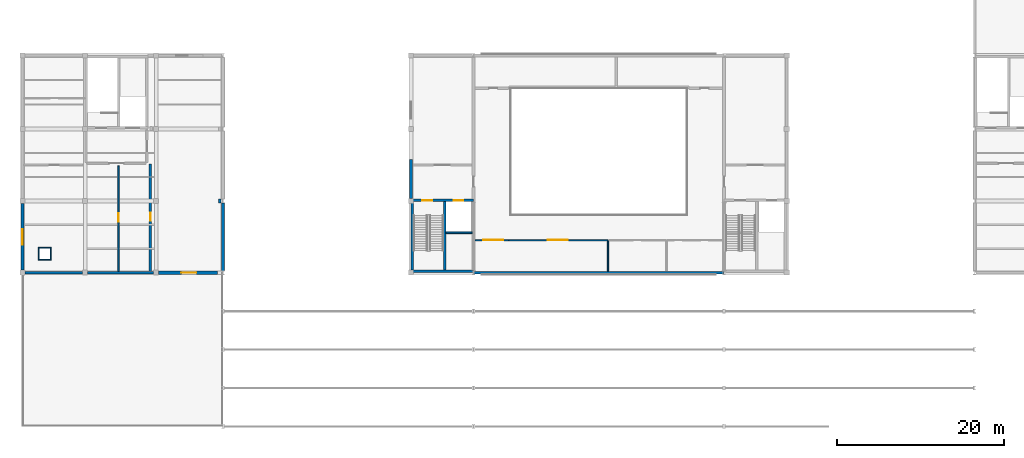
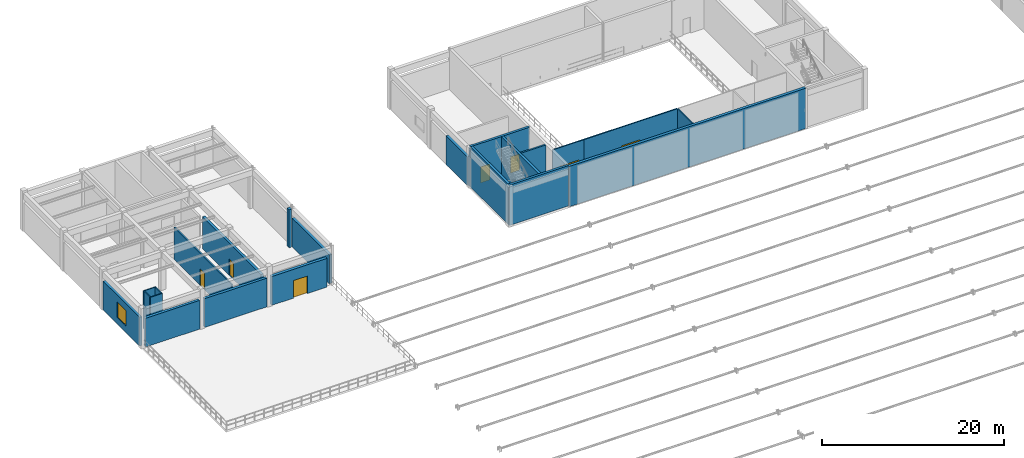
# One storey, part 31 of 38: 22 walls, 7 doors, 1 window, 8 openings.
"""IFC4 building model written with IfcOpenShell, lengths in metres."""

from ifc_helpers import new_model, si_unit, direction, frame, frame_2d, origin, place, context, subcontext, project, spatial, rectangle, extrude, material, layer, layer_set, type_object, element, fill, save


model = new_model("IFC4")

# Units and contexts
model_context = context("Model", 3, precision=1e-05, world=origin(), true_north=direction((0.0, 1.0)))
body_context = subcontext(model_context, "Body", "Model", "MODEL_VIEW")
ifc_project = project(units=[si_unit("LENGTHUNIT", "METRE"), si_unit("AREAUNIT", "SQUARE_METRE"), si_unit("VOLUMEUNIT", "CUBIC_METRE"), si_unit("PLANEANGLEUNIT", "RADIAN"), si_unit("MASSUNIT", "GRAM", prefix="KILO")], contexts=[model_context])

# Site, building, storey
site_placement = place(None, origin())
site = spatial("IfcSite", under=ifc_project, at=site_placement, CompositionType="ELEMENT")
building_placement = place(site_placement, origin())
building = spatial("IfcBuilding", under=site, at=building_placement, Name="Muzn Square Opera House", CompositionType="ELEMENT")
storey_placement = place(building_placement, frame((0.0, 0.0, 18.0)))
storey = spatial("IfcBuildingStorey", under=building, at=storey_placement, Name="L04", CompositionType="ELEMENT", Elevation=18.0)

# Wall, opening, door
ifc_material_1 = material(Name="Acoustic gypsum stud partition", Category="gypsum")
ifc_layer_1 = layer(ifc_material_1, 0.320068359375, Name="Acoustic gypsum stud partition", Category="gypsum")
ifc_layer_set_1 = layer_set([ifc_layer_1], Name="Acoustic gypsum stud partition")
wall_type_1 = type_object("IfcWallType", Name="Acoustic Studio Double Wall 320mm", PredefinedType="PARTITIONING", material=ifc_layer_set_1)
wall_1_placement = place(storey_placement, frame((34.300048828125, 72.77490234375, 0.0), z_axis=(0.0, 0.0, 1.0), x_axis=(0.0, 1.0, 0.0)))
wall_1 = element("IfcWall", 1, at=wall_1_placement, inside=storey, type_object=wall_type_1, Name="Interior Partition PW-L04-0400", PredefinedType="PARTITIONING", context=body_context, shape_type="SweptSolid", body=[
    extrude(rectangle(XDim=12.8251953125, YDim=0.320068359375, at=frame_2d((6.41259765625, 0.0))), origin(), (0.0, 0.0, 1.0), 4.300048828125),
])
opening_1_placement = place(wall_1_placement, frame((6.02490234375, 0.0, 0.0)))
opening_1 = element("IfcOpeningElement", 2, at=opening_1_placement, cuts=wall_1, Name="Opening DR-SS10", PredefinedType="OPENING", context=body_context, shape_type="SweptSolid", body=[
    extrude(rectangle(XDim=1.0, YDim=2.199951171875, at=frame_2d((0.5, 1.10009765625))), frame((0.0, 0.169921875, 0.0), z_axis=(0.0, -1.0, 0.0), x_axis=(1.0, 0.0, 0.0)), (0.0, 0.0, 1.0), 0.340087890625),
])
ifc_material_2 = material(Name="Acoustic hardwood leaf", Category="wood")
door_type_1 = type_object("IfcDoorType", Name="Soloist Suite Door 1000x2200", OperationType="NOTDEFINED", PredefinedType="DOOR", material=ifc_material_2)
door_1_placement = place(opening_1_placement, origin())
door_1 = element("IfcDoor", 3, at=door_1_placement, inside=storey, type_object=door_type_1, Name="Conductor Partitura Preparation Studio Door DR-L04-0121", OperationType="SINGLE_SWING_RIGHT", OverallHeight=2.199951171875, OverallWidth=1.0, PredefinedType="DOOR", context=body_context, shape_type="SweptSolid", body=[
    extrude(rectangle(XDim=1.0, YDim=2.199951171875, at=frame_2d((0.5, 1.10009765625))), frame((0.0, 0.02490234375, 0.0), z_axis=(0.0, -1.0, 0.0), x_axis=(1.0, 0.0, 0.0)), (0.0, 0.0, 1.0), 0.050048828125),
])
fill(opening_1, door_1)

# Walls
wall_2_placement = place(storey_placement, frame((42.60009765625, 80.97509765625, 0.0), z_axis=(0.0, 0.0, 1.0), x_axis=(0.0, 1.0, 0.0)))
element("IfcWall", 4, at=wall_2_placement, inside=storey, type_object=wall_type_1, Name="Room Enclosure Partition PW-L04-0410", PredefinedType="PARTITIONING", context=body_context, shape_type="SweptSolid", body=[
    extrude(rectangle(XDim=0.449951171875, YDim=0.320068359375, at=frame_2d((0.22509765625, 0.0))), origin(), (0.0, 0.0, 1.0), 5.10009765625),
])
ifc_material_3 = material(Name="Concrete C45/55", Category="concrete")
ifc_layer_2 = layer(ifc_material_3, 0.300048828125, Name="Concrete C45/55", Category="concrete")
ifc_layer_set_2 = layer_set([ifc_layer_2], Name="Concrete C45/55")
wall_type_2 = type_object("IfcWallType", Name="Core Shear Wall 300mm", PredefinedType="SHEAR", material=ifc_layer_set_2)
for number, where, z_axis, x_axis, name in (
    (5, (65.64990234375, 72.89990234375, 0.0), (0.0, 0.0, 1.0), (0.0, 1.0, 0.0), "Core C1 Shear Wall SW-C1-L04-W"),
    (6, (69.550048828125, 72.89990234375, 0.0), (0.0, 0.0, 1.0), (0.0, 1.0, 0.0), "Core C1 Shear Wall SW-C1-L04-DIV"),
):
    element("IfcWall", number, at=place(storey_placement, frame(where, z_axis=z_axis, x_axis=x_axis)), inside=storey, type_object=wall_type_2, Name=name, PredefinedType="SHEAR", context=body_context, shape_type="SweptSolid", body=[
        extrude(rectangle(XDim=8.2001953125, YDim=0.300048828125, at=frame_2d((4.10009765625, 0.0))), origin(), (0.0, 0.0, 1.0), 5.39990234375),
    ])

# Wall, openings, doors
wall_3_placement = place(storey_placement, frame((65.5, 81.25, 0.0), z_axis=(0.0, 0.0, 1.0), x_axis=(1.0, 0.0, 0.0)))
wall_3 = element("IfcWall", 7, at=wall_3_placement, inside=storey, type_object=wall_type_2, Name="Core C1 Front Shear Wall L04", PredefinedType="SHEAR", context=body_context, shape_type="SweptSolid", body=[
    extrude(rectangle(XDim=7.5, YDim=0.300048828125, at=frame_2d((3.75, 0.0))), origin(), (0.0, 0.0, 1.0), 5.39990234375),
])
opening_2_placement = place(wall_3_placement, frame((1.35009765625, 0.0, 0.0)))
opening_2 = element("IfcOpeningElement", 8, at=opening_2_placement, cuts=wall_3, Name="Opening DR-ST12", PredefinedType="OPENING", context=body_context, shape_type="SweptSolid", body=[
    extrude(rectangle(XDim=1.199951171875, YDim=2.14990234375, at=frame_2d((0.60009765625, 1.074951171875))), frame((0.0, 0.159912109375, 0.0), z_axis=(0.0, -1.0, 0.0), x_axis=(1.0, 0.0, 0.0)), (0.0, 0.0, 1.0), 0.320068359375),
])
opening_3_placement = place(wall_3_placement, frame((5.14990234375, 0.0, 0.0)))
opening_3 = element("IfcOpeningElement", 9, at=opening_3_placement, cuts=wall_3, Name="Opening LD-01", PredefinedType="OPENING", context=body_context, shape_type="SweptSolid", body=[
    extrude(rectangle(XDim=1.10009765625, YDim=2.14990234375, at=frame_2d((0.550048828125, 1.074951171875))), frame((0.0, 0.159912109375, 0.0), z_axis=(0.0, -1.0, 0.0), x_axis=(1.0, 0.0, 0.0)), (0.0, 0.0, 1.0), 0.320068359375),
])
ifc_material_4 = material(Name="Galvanised painted steel leaf", Category="metal")
door_type_2 = type_object("IfcDoorType", Name="Core Stair Fire Door 1200x2150", OperationType="NOTDEFINED", PredefinedType="DOOR", material=ifc_material_4)
door_2_placement = place(opening_2_placement, origin())
door_2 = element("IfcDoor", 10, at=door_2_placement, inside=storey, type_object=door_type_2, Name="Core C1 Stair Door L04", OperationType="SINGLE_SWING_RIGHT", OverallHeight=2.14990234375, OverallWidth=1.199951171875, PredefinedType="DOOR", context=body_context, shape_type="SweptSolid", body=[
    extrude(rectangle(XDim=1.199951171875, YDim=2.14990234375, at=frame_2d((0.60009765625, 1.074951171875))), frame((0.0, 0.02490234375, 0.0), z_axis=(0.0, -1.0, 0.0), x_axis=(1.0, 0.0, 0.0)), (0.0, 0.0, 1.0), 0.050048828125),
])
fill(opening_2, door_2)
ifc_material_5 = material(Name="Brushed stainless steel", Category="metal")
door_type_3 = type_object("IfcDoorType", Name="Lift Landing Sliding Door 1100x2150", OperationType="SLIDING_TO_LEFT", PredefinedType="DOOR", material=ifc_material_5)
door_3_placement = place(opening_3_placement, origin())
door_3 = element("IfcDoor", 11, at=door_3_placement, inside=storey, type_object=door_type_3, Name="Lift FFL-1 Sliding Landing Door L04", OperationType="SLIDING_TO_LEFT", OverallHeight=2.14990234375, OverallWidth=1.10009765625, PredefinedType="DOOR", context=body_context, shape_type="SweptSolid", body=[
    extrude(rectangle(XDim=1.10009765625, YDim=2.14990234375, at=frame_2d((0.550048828125, 1.074951171875))), frame((0.0, 0.02490234375, 0.0), z_axis=(0.0, -1.0, 0.0), x_axis=(1.0, 0.0, 0.0)), (0.0, 0.0, 1.0), 0.050048828125),
])
fill(opening_3, door_3)

# Wall
wall_4_placement = place(storey_placement, frame((65.5, 72.75, 0.0), z_axis=(0.0, 0.0, 1.0), x_axis=(1.0, 0.0, 0.0)))
element("IfcWall", 12, at=wall_4_placement, inside=storey, type_object=wall_type_2, Name="Core C1 Shear Wall SW-C1-L04-S", PredefinedType="SHEAR", context=body_context, shape_type="SweptSolid", body=[
    extrude(rectangle(XDim=7.485107421875, YDim=0.300048828125, at=frame_2d((3.74267578125, 0.0))), origin(), (0.0, 0.0, 1.0), 5.39990234375),
])

# Wall, opening, door
ifc_layer_3 = layer(ifc_material_1, 0.179931640625, Name="Acoustic gypsum stud partition", Category="gypsum")
ifc_layer_set_3 = layer_set([ifc_layer_3], Name="Acoustic gypsum stud partition")
wall_type_3 = type_object("IfcWallType", Name="Dressing Suite Partition 180mm", PredefinedType="PARTITIONING", material=ifc_layer_set_3)
wall_5_placement = place(storey_placement, frame((30.5, 72.77490234375, 0.0), z_axis=(0.0, 0.0, 1.0), x_axis=(0.0, 1.0, 0.0)))
wall_5 = element("IfcWall", 13, at=wall_5_placement, inside=storey, type_object=wall_type_3, Name="Interior Partition PW-L04-0402", PredefinedType="PARTITIONING", context=body_context, shape_type="SweptSolid", body=[
    extrude(rectangle(XDim=12.625, YDim=0.179931640625, at=frame_2d((6.3125, 0.0))), origin(), (0.0, 0.0, 1.0), 4.300048828125),
])
opening_4_placement = place(wall_5_placement, frame((5.9150390625, 0.0, 0.0)))
opening_4 = element("IfcOpeningElement", 14, at=opening_4_placement, cuts=wall_5, Name="Opening DR-MS10", PredefinedType="OPENING", context=body_context, shape_type="SweptSolid", body=[
    extrude(rectangle(XDim=1.02001953125, YDim=2.199951171875, at=frame_2d((0.510009765625, 1.10009765625))), frame((0.0, 0.099853515625, 0.0), z_axis=(0.0, -1.0, 0.0), x_axis=(1.0, 0.0, 0.0)), (0.0, 0.0, 1.0), 0.199951171875),
])
door_type_4 = type_object("IfcDoorType", Name="Maestro Suite Door 1020x2200", OperationType="NOTDEFINED", PredefinedType="DOOR", material=ifc_material_2)
door_4_placement = place(opening_4_placement, origin())
door_4 = element("IfcDoor", 15, at=door_4_placement, inside=storey, type_object=door_type_4, Name="Visiting Maestro Suite Door DR-L04-0123", OperationType="SINGLE_SWING_RIGHT", OverallHeight=2.199951171875, OverallWidth=1.02001953125, PredefinedType="DOOR", context=body_context, shape_type="SweptSolid", body=[
    extrude(rectangle(XDim=1.02001953125, YDim=2.199951171875, at=frame_2d((0.510009765625, 1.10009765625))), frame((0.0, 0.02490234375, 0.0), z_axis=(0.0, -1.0, 0.0), x_axis=(1.0, 0.0, 0.0)), (0.0, 0.0, 1.0), 0.050048828125),
])
fill(opening_4, door_4)

# Wall, opening, window
ifc_material_6 = material(Name="Concrete C40/50", Category="concrete")
ifc_layer_4 = layer(ifc_material_6, 0.31005859375, Name="Concrete C40/50", Category="concrete")
ifc_layer_set_4 = layer_set([ifc_layer_4], Name="Concrete C40/50")
wall_type_4 = type_object("IfcWallType", Name="Exterior Gallery Facade Wall 310mm", PredefinedType="SOLIDWALL", material=ifc_layer_set_4)
wall_6_placement = place(storey_placement, frame((19.0, 72.89990234375, 0.0), z_axis=(0.0, 0.0, 1.0), x_axis=(0.0, 1.0, 0.0)))
wall_6 = element("IfcWall", 16, at=wall_6_placement, inside=storey, type_object=wall_type_4, Name="Exterior Facade Wall EW-L04-085", PredefinedType="SOLIDWALL", context=body_context, shape_type="SweptSolid", body=[
    extrude(rectangle(XDim=8.0, YDim=0.31005859375, at=frame_2d((4.0, 0.0))), origin(), (0.0, 0.0, 1.0), 3.85009765625),
])
opening_5_placement = place(wall_6_placement, frame((3.030029296875, 0.0, 0.85009765625)))
opening_5 = element("IfcOpeningElement", 17, at=opening_5_placement, cuts=wall_6, Name="Opening WN-M1921", PredefinedType="OPENING", context=body_context, shape_type="SweptSolid", body=[
    extrude(rectangle(XDim=1.89990234375, YDim=2.10009765625, at=frame_2d((0.949951171875, 1.050048828125))), frame((0.0, 0.1650390625, 0.0), z_axis=(0.0, -1.0, 0.0), x_axis=(1.0, 0.0, 0.0)), (0.0, 0.0, 1.0), 0.330078125),
])
ifc_material_7 = material(Name="Low-E laminated acoustic double glazing", Category="glass")
window_type = type_object("IfcWindowType", Name="Maestro Suite Window 1900x2100", PartitioningType="DOUBLE_PANEL_VERTICAL", PredefinedType="WINDOW", material=ifc_material_7)
window_placement = place(opening_5_placement, origin())
window = element("IfcWindow", 18, at=window_placement, inside=storey, type_object=window_type, Name="Maestro Suite Window 1900x2100 EW-L04-085-WN01", OverallHeight=2.10009765625, OverallWidth=1.89990234375, PartitioningType="SINGLE_PANEL", PredefinedType="WINDOW", context=body_context, shape_type="SweptSolid", body=[
    extrude(rectangle(XDim=1.89990234375, YDim=2.10009765625, at=frame_2d((0.949951171875, 1.050048828125))), frame((0.0, 0.030029296875, 0.0), z_axis=(0.0, -1.0, 0.0), x_axis=(1.0, 0.0, 0.0)), (0.0, 0.0, 1.0), 0.06005859375),
])
fill(opening_5, window)

# Walls
ifc_layer_5 = layer(ifc_material_6, 0.340087890625, Name="Concrete C40/50", Category="concrete")
ifc_layer_set_5 = layer_set([ifc_layer_5], Name="Concrete C40/50")
wall_type_5 = type_object("IfcWallType", Name="Exterior Insulated Spandrel Wall 340mm", PredefinedType="SOLIDWALL", material=ifc_layer_set_5)
wall_7_placement = place(storey_placement, frame((43.0, 72.824951171875, 0.0), z_axis=(0.0, 0.0, 1.0), x_axis=(0.0, 1.0, 0.0)))
element("IfcWall", 19, at=wall_7_placement, inside=storey, type_object=wall_type_5, Name="Exterior Facade Wall EW-L04-255", PredefinedType="SOLIDWALL", context=body_context, shape_type="SweptSolid", body=[
    extrude(rectangle(XDim=8.150146484375, YDim=0.340087890625, at=frame_2d((4.0751953125, 0.0))), origin(), (0.0, 0.0, 1.0), 3.85009765625),
])
wall_8_placement = place(storey_placement, frame((19.300048828125, 72.60009765625, 0.0), z_axis=(0.0, 0.0, 1.0), x_axis=(1.0, 0.0, 0.0)))
element("IfcWall", 20, at=wall_8_placement, inside=storey, type_object=wall_type_5, Name="Exterior Facade Wall EW-L04-258", PredefinedType="SOLIDWALL", context=body_context, shape_type="SweptSolid", body=[
    extrude(rectangle(XDim=6.89990234375, YDim=0.340087890625, at=frame_2d((3.449951171875, 0.0))), origin(), (0.0, 0.0, 1.0), 3.85009765625),
])
wall_9_placement = place(storey_placement, frame((26.800048828125, 72.60009765625, 0.0), z_axis=(0.0, 0.0, 1.0), x_axis=(1.0, 0.0, 0.0)))
element("IfcWall", 21, at=wall_9_placement, inside=storey, type_object=wall_type_5, Name="Exterior Facade Wall EW-L04-259", PredefinedType="SOLIDWALL", context=body_context, shape_type="SweptSolid", body=[
    extrude(rectangle(XDim=7.89990234375, YDim=0.340087890625, at=frame_2d((3.949951171875, 0.0))), origin(), (0.0, 0.0, 1.0), 3.85009765625),
])
wall_10_placement = place(storey_placement, frame((65.5, 81.5, 0.0), z_axis=(0.0, 0.0, 1.0), x_axis=(0.0, 1.0, 0.0)))
element("IfcWall", 22, at=wall_10_placement, inside=storey, type_object=wall_type_5, Name="Exterior Facade Wall EW-L04-265", PredefinedType="SOLIDWALL", context=body_context, shape_type="SweptSolid", body=[
    extrude(rectangle(XDim=4.679931640625, YDim=0.340087890625, at=frame_2d((2.33984375, 0.0))), origin(), (0.0, 0.0, 1.0), 3.85009765625),
])

# Wall, opening, door
ifc_layer_6 = layer(ifc_material_6, 0.3798828125, Name="Concrete C40/50", Category="concrete")
ifc_layer_set_6 = layer_set([ifc_layer_6], Name="Concrete C40/50")
wall_type_6 = type_object("IfcWallType", Name="Exterior Limestone Wall 380mm", PredefinedType="SOLIDWALL", material=ifc_layer_set_6)
wall_11_placement = place(storey_placement, frame((35.300048828125, 72.60009765625, 0.0), z_axis=(0.0, 0.0, 1.0), x_axis=(1.0, 0.0, 0.0)))
wall_11 = element("IfcWall", 23, at=wall_11_placement, inside=storey, type_object=wall_type_6, Name="Exterior Facade Wall EW-L04-106", PredefinedType="SOLIDWALL", context=body_context, shape_type="SweptSolid", body=[
    extrude(rectangle(XDim=7.02001953125, YDim=0.3798828125, at=frame_2d((3.510009765625, 0.0))), origin(), (0.0, 0.0, 1.0), 3.85009765625),
])
opening_6_placement = place(wall_11_placement, frame((4.530029296875, 0.0, 0.0), z_axis=(0.0, 0.0, 1.0), x_axis=(-1.0, 0.0, 0.0)))
opening_6 = element("IfcOpeningElement", 24, at=opening_6_placement, cuts=wall_11, Name="Opening DR-TR18", PredefinedType="OPENING", context=body_context, shape_type="SweptSolid", body=[
    extrude(rectangle(XDim=1.800048828125, YDim=2.35009765625, at=frame_2d((0.89990234375, 1.175048828125))), frame((0.0, 0.199951171875, 0.0), z_axis=(0.0, -1.0, 0.0), x_axis=(1.0, 0.0, 0.0)), (0.0, 0.0, 1.0), 0.39990234375),
])
ifc_material_8 = material(Name="Anodised bronze aluminium", Category="metal")
door_type_5 = type_object("IfcDoorType", Name="Terrace Glazed Double Door 1800x2350", OperationType="DOUBLE_DOOR_SINGLE_SWING", PredefinedType="DOOR", material=ifc_material_8)
door_5_placement = place(opening_6_placement, origin())
door_5 = element("IfcDoor", 25, at=door_5_placement, inside=storey, type_object=door_type_5, Name="West Roof Terrace Access Door D-TR401", OperationType="DOUBLE_DOOR_SINGLE_SWING", OverallHeight=2.35009765625, OverallWidth=1.800048828125, PredefinedType="DOOR", context=body_context, shape_type="SweptSolid", body=[
    extrude(rectangle(XDim=1.800048828125, YDim=2.35009765625, at=frame_2d((0.89990234375, 1.175048828125))), frame((0.0, 0.02490234375, 0.0), z_axis=(0.0, -1.0, 0.0), x_axis=(1.0, 0.0, 0.0)), (0.0, 0.0, 1.0), 0.050048828125),
])
fill(opening_6, door_5)

# Walls
ifc_layer_7 = layer(ifc_material_3, 0.35009765625, Name="Concrete C45/55", Category="concrete")
ifc_layer_set_7 = layer_set([ifc_layer_7], Name="Concrete C45/55")
wall_type_7 = type_object("IfcWallType", Name="Fly Tower Shear Wall 350mm", PredefinedType="SHEAR", material=ifc_layer_set_7)
wall_12_placement = place(storey_placement, frame((73.0048828125, 72.60009765625, 0.0), z_axis=(0.0, 0.0, 1.0), x_axis=(1.0, 0.0, 0.0)))
element("IfcWall", 26, at=wall_12_placement, inside=storey, type_object=wall_type_7, Name="Fly Tower Shear Wall FTW-L04-S", PredefinedType="SHEAR", context=body_context, shape_type="SweptSolid", body=[
    extrude(rectangle(XDim=29.990234375, YDim=0.35009765625, at=frame_2d((14.9951171875, 0.0))), origin(), (0.0, 0.0, 1.0), 5.39990234375),
])
ifc_layer_8 = layer(ifc_material_6, 0.219970703125, Name="Concrete C40/50", Category="concrete")
ifc_layer_set_8 = layer_set([ifc_layer_8], Name="Concrete C40/50")
wall_type_8 = type_object("IfcWallType", Name="Lift Lobby Wall 220mm", PredefinedType="SOLIDWALL", material=ifc_layer_set_8)
wall_13_placement = place(storey_placement, frame((69.699951171875, 77.3798828125, 0.0), z_axis=(0.0, 0.0, 1.0), x_axis=(1.0, 0.0, 0.0)))
element("IfcWall", 27, at=wall_13_placement, inside=storey, type_object=wall_type_8, Name="Core C1 Lift Shaft South Wall L04", PredefinedType="SOLIDWALL", context=body_context, shape_type="SweptSolid", body=[
    extrude(rectangle(XDim=3.1201171875, YDim=0.219970703125, at=frame_2d((1.56005859375, 0.0))), origin(), (0.0, 0.0, 1.0), 5.39990234375),
])
ifc_layer_9 = layer(ifc_material_1, 0.14990234375, Name="Acoustic gypsum stud partition", Category="gypsum")
ifc_layer_set_9 = layer_set([ifc_layer_9], Name="Acoustic gypsum stud partition")
wall_type_9 = type_object("IfcWallType", Name="Office Acoustic Partition 150mm", PredefinedType="PARTITIONING", material=ifc_layer_set_9)
wall_14_placement = place(storey_placement, frame((89.10009765625, 72.780029296875, 0.0), z_axis=(0.0, 0.0, 1.0), x_axis=(0.0, 1.0, 0.0)))
element("IfcWall", 28, at=wall_14_placement, inside=storey, type_object=wall_type_9, Name="Interior Partition PW-L04-0388", PredefinedType="PARTITIONING", context=body_context, shape_type="SweptSolid", body=[
    extrude(rectangle(XDim=3.639892578125, YDim=0.14990234375, at=frame_2d((1.81982421875, 0.0))), origin(), (0.0, 0.0, 1.0), 5.10009765625),
])

# Wall, opening, door
wall_15_placement = place(storey_placement, frame((73.179931640625, 76.5, 0.0), z_axis=(0.0, 0.0, 1.0), x_axis=(1.0, 0.0, 0.0)))
wall_15 = element("IfcWall", 29, at=wall_15_placement, inside=storey, type_object=wall_type_9, Name="Interior Partition PW-L04-0389", PredefinedType="PARTITIONING", context=body_context, shape_type="SweptSolid", body=[
    extrude(rectangle(XDim=4.02001953125, YDim=0.14990234375, at=frame_2d((2.010009765625, 0.0))), origin(), (0.0, 0.0, 1.0), 5.10009765625),
])
opening_7_placement = place(wall_15_placement, frame((0.969970703125, 0.0, 0.0)))
opening_7 = element("IfcOpeningElement", 30, at=opening_7_placement, cuts=wall_15, Name="Opening DR-SC24", PredefinedType="OPENING", context=body_context, shape_type="SweptSolid", body=[
    extrude(rectangle(XDim=2.39990234375, YDim=2.60009765625, at=frame_2d((1.199951171875, 1.300048828125))), frame((0.0, 0.0849609375, 0.0), z_axis=(0.0, -1.0, 0.0), x_axis=(1.0, 0.0, 0.0)), (0.0, 0.0, 1.0), 0.169921875),
])
door_type_6 = type_object("IfcDoorType", Name="Stage Scenery Double Door 2400x2600", OperationType="DOUBLE_DOOR_SINGLE_SWING", PredefinedType="DOOR", material=ifc_material_4)
door_6_placement = place(opening_7_placement, origin())
door_6 = element("IfcDoor", 31, at=door_6_placement, inside=storey, type_object=door_type_6, Name="Stage Acoustic Control Room Door DR-L04-0112", OperationType="DOUBLE_DOOR_SINGLE_SWING", OverallHeight=2.60009765625, OverallWidth=2.39990234375, PredefinedType="DOOR", context=body_context, shape_type="SweptSolid", body=[
    extrude(rectangle(XDim=2.39990234375, YDim=2.60009765625, at=frame_2d((1.199951171875, 1.300048828125))), frame((0.0, 0.02490234375, 0.0), z_axis=(0.0, -1.0, 0.0), x_axis=(1.0, 0.0, 0.0)), (0.0, 0.0, 1.0), 0.050048828125),
])
fill(opening_7, door_6)

wall_16_placement = place(storey_placement, frame((77.199951171875, 76.5, 0.0), z_axis=(0.0, 0.0, 1.0), x_axis=(1.0, 0.0, 0.0)))
wall_16 = element("IfcWall", 32, at=wall_16_placement, inside=storey, type_object=wall_type_9, Name="Interior Partition PW-L04-0390", PredefinedType="PARTITIONING", context=body_context, shape_type="SweptSolid", body=[
    extrude(rectangle(XDim=11.840087890625, YDim=0.14990234375, at=frame_2d((5.919921875, 0.0))), origin(), (0.0, 0.0, 1.0), 5.10009765625),
])
opening_8_placement = place(wall_16_placement, frame((4.699951171875, 0.0, 0.0)))
opening_8 = element("IfcOpeningElement", 33, at=opening_8_placement, cuts=wall_16, Name="Opening DR-SC24", PredefinedType="OPENING", context=body_context, shape_type="SweptSolid", body=[
    extrude(rectangle(XDim=2.39990234375, YDim=2.60009765625, at=frame_2d((1.199951171875, 1.300048828125))), frame((0.0, 0.0849609375, 0.0), z_axis=(0.0, -1.0, 0.0), x_axis=(1.0, 0.0, 0.0)), (0.0, 0.0, 1.0), 0.169921875),
])
door_7_placement = place(opening_8_placement, origin())
door_7 = element("IfcDoor", 34, at=door_7_placement, inside=storey, type_object=door_type_6, Name="Stage Acoustic Control Room Door DR-L04-0113", OperationType="DOUBLE_DOOR_SINGLE_SWING", OverallHeight=2.60009765625, OverallWidth=2.39990234375, PredefinedType="DOOR", context=body_context, shape_type="SweptSolid", body=[
    extrude(rectangle(XDim=2.39990234375, YDim=2.60009765625, at=frame_2d((1.199951171875, 1.300048828125))), frame((0.0, 0.02490234375, 0.0), z_axis=(0.0, -1.0, 0.0), x_axis=(1.0, 0.0, 0.0)), (0.0, 0.0, 1.0), 0.050048828125),
])
fill(opening_8, door_7)

# Walls
ifc_layer_10 = layer(ifc_material_1, 0.1298828125, Name="Acoustic gypsum stud partition", Category="gypsum")
ifc_layer_set_10 = layer_set([ifc_layer_10], Name="Acoustic gypsum stud partition")
wall_type_10 = type_object("IfcWallType", Name="Service Closet Partition 130mm", PredefinedType="PARTITIONING", material=ifc_layer_set_10)
for number, where, z_axis, x_axis, name in (
    (35, (20.8701171875, 74.135009765625, 0.0), (0.0, 0.0, 1.0), (1.0, 0.0, 0.0), "MEP Riser Shaft Wall RSR-WC L04-S"),
    (36, (20.8701171875, 75.56494140625, 0.0), (0.0, 0.0, 1.0), (1.0, 0.0, 0.0), "MEP Riser Shaft Wall RSR-WC L04-N"),
):
    element("IfcWall", number, at=place(storey_placement, frame(where, z_axis=z_axis, x_axis=x_axis)), inside=storey, type_object=wall_type_10, Name=name, PredefinedType="PARTITIONING", context=body_context, shape_type="SweptSolid", body=[
        extrude(rectangle(XDim=1.559814453125, YDim=0.1298828125, at=frame_2d((0.77978515625, 0.0))), origin(), (0.0, 0.0, 1.0), 5.10009765625),
    ])
for number, where, z_axis, x_axis, name in (
    (37, (20.93505859375, 74.199951171875, 0.0), (0.0, 0.0, 1.0), (0.0, 1.0, 0.0), "MEP Riser Shaft Wall RSR-WC L04-W"),
    (38, (22.364990234375, 74.199951171875, 0.0), (0.0, 0.0, 1.0), (0.0, 1.0, 0.0), "MEP Riser Shaft Wall RSR-WC L04-E"),
):
    element("IfcWall", number, at=place(storey_placement, frame(where, z_axis=z_axis, x_axis=x_axis)), inside=storey, type_object=wall_type_10, Name=name, PredefinedType="PARTITIONING", context=body_context, shape_type="SweptSolid", body=[
        extrude(rectangle(XDim=1.300048828125, YDim=0.1298828125, at=frame_2d((0.64990234375, 0.0))), origin(), (0.0, 0.0, 1.0), 5.10009765625),
    ])

save(model, "model.ifc")
